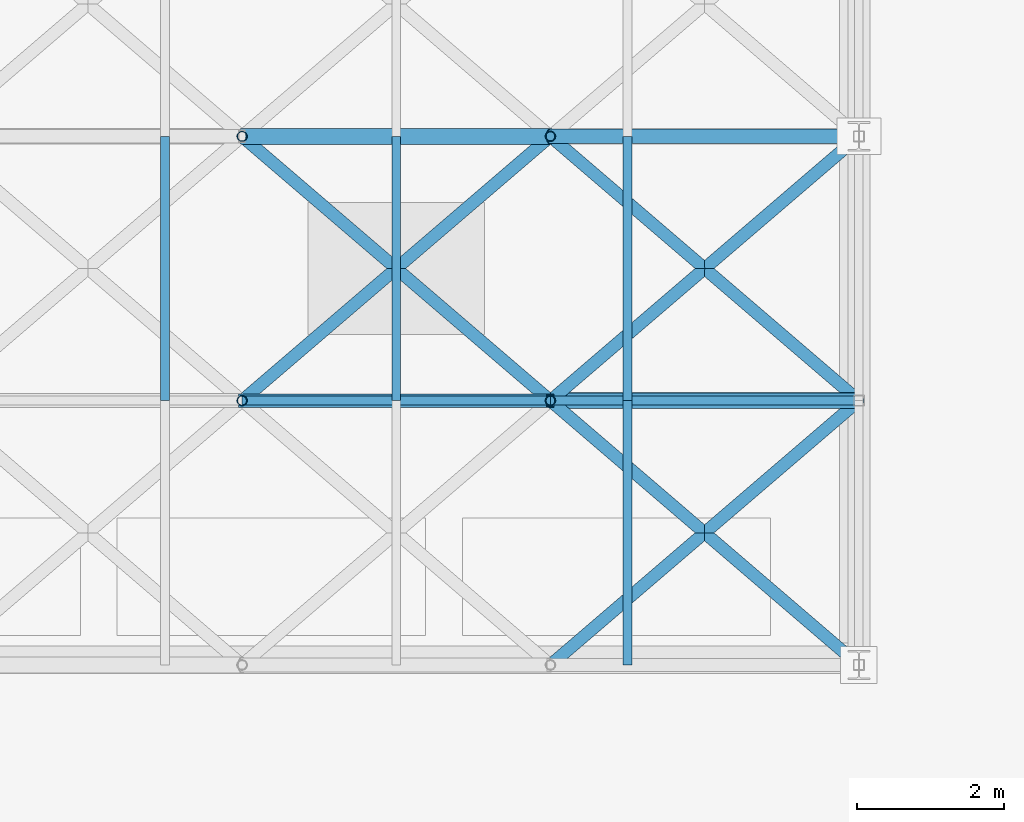
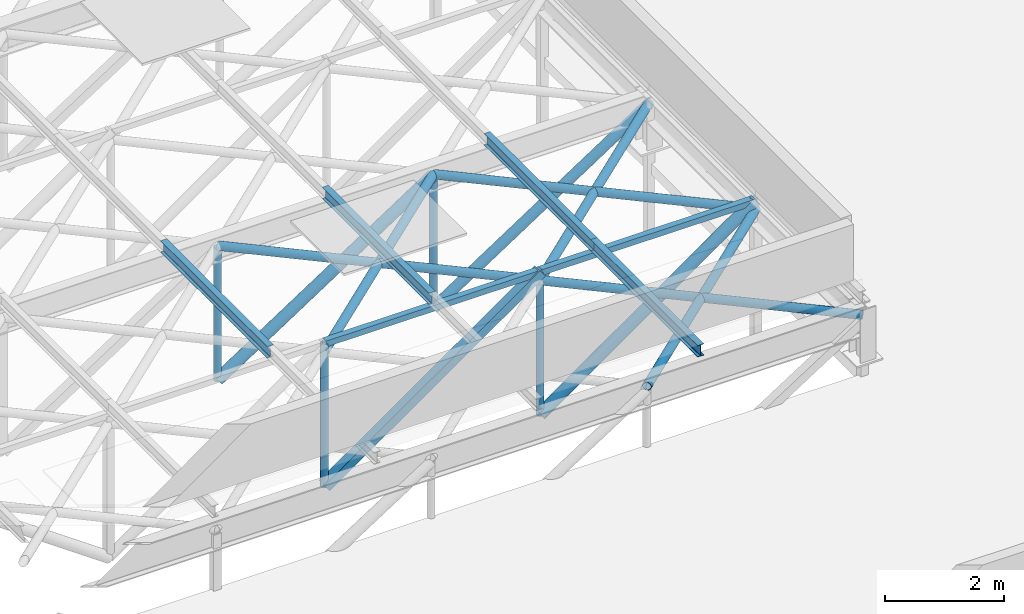
# One storey, part 8 of 45: 20 members.
"""IFC4 building model written with IfcOpenShell, lengths in metres."""

from ifc_helpers import new_model, si_unit, derived_unit, direction, frame, origin, origin_2d, place, context, subcontext, project, spatial, hollow_rectangle, hollow_circle, i_section, extrude, material, material_profile, profile_set, type_object, element, save


model = new_model("IFC4")

# Units and contexts
model_context = context("Model", 3, precision=1e-05, world=origin(), true_north=direction((0.0, 1.0)))
body_context = subcontext(model_context, "Body", "Model", "MODEL_VIEW")
ifc_project = project(units=[si_unit("LENGTHUNIT", "METRE"), si_unit("AREAUNIT", "SQUARE_METRE"), si_unit("VOLUMEUNIT", "CUBIC_METRE"), si_unit("PLANEANGLEUNIT", "RADIAN"), si_unit("MASSUNIT", "GRAM", prefix="KILO"), derived_unit("THERMALTRANSMITTANCEUNIT", [(si_unit("MASSUNIT", "GRAM", prefix="KILO"), 1), (si_unit("TIMEUNIT", "SECOND"), -3), (si_unit("THERMODYNAMICTEMPERATUREUNIT", "KELVIN"), -1)])], contexts=[model_context])

# Site, building, storey
site_placement = place(None, origin())
site = spatial("IfcSite", under=ifc_project, at=site_placement, CompositionType="ELEMENT")
building_placement = place(site_placement, origin())
building = spatial("IfcBuilding", under=site, at=building_placement, Name="Veldstrom Oceanarium and Marine Research Institute", CompositionType="ELEMENT")
storey_placement = place(building_placement, frame((0.0, 0.0, 22.199951171875)))
storey = spatial("IfcBuildingStorey", under=building, at=storey_placement, Name="L04", CompositionType="ELEMENT", Elevation=22.199951171875)

# Members
ifc_material_1 = material(Name="Steel S355JR", Category="steel")
ifc_material_profile_1 = material_profile(ifc_material_1, hollow_circle(Radius=0.109619140625, WallThickness=0.012451171875, at=origin_2d()), Name="CHS 219.1x12.5")
ifc_profile_set_1 = profile_set([ifc_material_profile_1], Name="Steel S355JR")
member_type_1 = type_object("IfcMemberType", Name="STR-MEM-BR1", PredefinedType="BRACE", material=ifc_profile_set_1)
member_1_placement = place(storey_placement, frame((37.800048828125, 18.0, -1.89990234375), z_axis=(0.818316866904, 0.0, 0.574767348881), x_axis=(0.0, 1.0, 0.0)))
element("IfcMember", 1, at=member_1_placement, inside=storey, type_object=member_type_1, Name="Truss Web Diagonal RT02-6", PredefinedType="BRACE", context=body_context, shape_type="SweptSolid", body=[
    extrude(hollow_circle(Radius=0.109619140625, WallThickness=0.012451171875, at=origin_2d()), origin(), (0.0, 0.0, 1.0), 5.13232421875),
])
member_2_placement = place(storey_placement, frame((33.60009765625, 21.60009765625, -1.89990234375), z_axis=(0.837217300889, 0.0, 0.546870360407), x_axis=(0.0, 1.0, 0.0)))
element("IfcMember", 2, at=member_2_placement, inside=storey, type_object=member_type_1, Name="Truss Web Diagonal RT03-5", PredefinedType="BRACE", context=body_context, shape_type="SweptSolid", body=[
    extrude(hollow_circle(Radius=0.109619140625, WallThickness=0.012451171875, at=origin_2d()), origin(), (0.0, 0.0, 1.0), 5.0166015625),
])
ifc_material_2 = material(Name="Steel S355JR", Category="steel")
ifc_material_profile_2 = material_profile(ifc_material_2, hollow_circle(Radius=0.096923828125, WallThickness=0.010009765625, at=origin_2d()), Name="CHS 193.7x10")
ifc_profile_set_2 = profile_set([ifc_material_profile_2], Name="Steel S355JR")
member_type_2 = type_object("IfcMemberType", Name="STR-MEM-BR2", PredefinedType="BRACE", material=ifc_profile_set_2)
member_3_placement = place(storey_placement, frame((37.800048828125, 21.60009765625, -1.89990234375), z_axis=(0.837217300889, 0.0, 0.546870360407), x_axis=(0.0, 1.0, 0.0)))
element("IfcMember", 3, at=member_3_placement, inside=storey, type_object=member_type_2, Name="Truss Web Diagonal RT03-6", PredefinedType="BRACE", context=body_context, shape_type="SweptSolid", body=[
    extrude(hollow_circle(Radius=0.096923828125, WallThickness=0.010009765625, at=origin_2d()), origin(), (0.0, 0.0, 1.0), 5.0166015625),
])
ifc_material_3 = material(Name="Steel S355JR", Category="steel")
ifc_material_profile_3 = material_profile(ifc_material_3, hollow_circle(Radius=0.084228515625, WallThickness=0.008056640625, at=origin_2d()), Name="CHS 168.3x8")
ifc_profile_set_3 = profile_set([ifc_material_profile_3], Name="Steel S355JR")
member_type_3 = type_object("IfcMemberType", Name="STR-MEM-BR3", PredefinedType="BRACE", material=ifc_profile_set_3)
for number, where, z_axis, x_axis, name in (
    (4, (37.800048828125, 14.39990234375, 0.860107421875), (0.759244140748, 0.650805911728, 0.0), (-0.650805911728, 0.759244140748, 0.0), "Roof Plan Wind Brace WB-01-6"),
    (5, (42.0, 14.39990234375, 0.860107421875), (-0.759244140748, 0.650805911728, 0.0), (-0.650805911728, -0.759244140748, 0.0), "Roof Plan Counter Wind Brace WB-01-6B"),
    (6, (33.60009765625, 18.0, 0.860107421875), (0.759244140748, 0.650805911728, 0.0), (-0.650805911728, 0.759244140748, 0.0), "Roof Plan Wind Brace WB-02-5"),
    (7, (37.800048828125, 18.0, 0.860107421875), (-0.759244140748, 0.650805911728, 0.0), (-0.650805911728, -0.759244140748, 0.0), "Roof Plan Counter Wind Brace WB-02-5B"),
    (8, (37.800048828125, 18.0, 0.860107421875), (0.759244140748, 0.650805911728, 0.0), (-0.650805911728, 0.759244140748, 0.0), "Roof Plan Wind Brace WB-02-6"),
    (9, (42.0, 18.0, 0.860107421875), (-0.759244140748, 0.650805911728, 0.0), (-0.650805911728, -0.759244140748, 0.0), "Roof Plan Counter Wind Brace WB-02-6B"),
):
    element("IfcMember", number, at=place(storey_placement, frame(where, z_axis=z_axis, x_axis=x_axis)), inside=storey, type_object=member_type_3, Name=name, PredefinedType="BRACE", context=body_context, shape_type="SweptSolid", body=[
        extrude(hollow_circle(Radius=0.084228515625, WallThickness=0.008056640625, at=origin_2d()), origin(), (0.0, 0.0, 1.0), 5.53173828125),
    ])
ifc_material_4 = material(Name="Steel S355JR", Category="steel")
ifc_material_profile_4 = material_profile(ifc_material_4, hollow_rectangle(XDim=0.179931640625, YDim=0.179931640625, WallThickness=0.010009765625, at=origin_2d()), Name="SHS 180x180x10")
ifc_profile_set_4 = profile_set([ifc_material_profile_4], Name="Steel S355JR")
member_type_4 = type_object("IfcMemberType", Name="STR-MEM-BR4", PredefinedType="BRACE", material=ifc_profile_set_4)
member_4_placement = place(storey_placement, frame((33.60009765625, 18.0, -1.89990234375), z_axis=(0.818316866904, 0.0, 0.574767348881), x_axis=(0.0, 1.0, 0.0)))
element("IfcMember", 10, at=member_4_placement, inside=storey, type_object=member_type_4, Name="Truss Web Diagonal RT02-5", PredefinedType="BRACE", context=body_context, shape_type="SweptSolid", body=[
    extrude(hollow_rectangle(XDim=0.179931640625, YDim=0.179931640625, WallThickness=0.010009765625, at=origin_2d()), origin(), (0.0, 0.0, 1.0), 5.13232421875),
])
ifc_material_5 = material(Name="Steel S355JR", Category="steel")
ifc_material_profile_5 = material_profile(ifc_material_5, i_section(OverallWidth=0.1201171875, OverallDepth=0.239990234375, WebThickness=0.006103515625, FlangeThickness=0.009765625, FilletRadius=0.014892578125, at=origin_2d()), Name="IPE 240")
ifc_profile_set_5 = profile_set([ifc_material_profile_5], Name="Steel S355JR")
member_type_5 = type_object("IfcMemberType", Name="STR-MEM-PR1", PredefinedType="PURLIN", material=ifc_profile_set_5)
for number, where, z_axis, x_axis, name in (
    (11, (38.85009765625, 14.39990234375, 1.22998046875), (0.0, 1.0, 0.0), (-1.0, 0.0, 0.0), "Hall Roof Purlin PR-02-8"),
    (12, (32.550048828125, 18.0, 1.22998046875), (0.0, 1.0, 0.0), (-1.0, 0.0, 0.0), "Hall Roof Purlin PR-03-6"),
    (13, (35.699951171875, 18.0, 1.22998046875), (0.0, 1.0, 0.0), (-1.0, 0.0, 0.0), "Hall Roof Purlin PR-03-7"),
    (14, (38.85009765625, 18.0, 1.22998046875), (0.0, 1.0, 0.0), (-1.0, 0.0, 0.0), "Hall Roof Purlin PR-03-8"),
):
    element("IfcMember", number, at=place(storey_placement, frame(where, z_axis=z_axis, x_axis=x_axis)), inside=storey, type_object=member_type_5, Name=name, PredefinedType="PURLIN", context=body_context, shape_type="SweptSolid", body=[
        extrude(i_section(OverallWidth=0.1201171875, OverallDepth=0.239990234375, WebThickness=0.006103515625, FlangeThickness=0.009765625, FilletRadius=0.014892578125, at=origin_2d()), origin(), (0.0, 0.0, 1.0), 3.60009765625),
    ])
ifc_material_6 = material(Name="Steel S355JR", Category="steel")
ifc_material_profile_6 = material_profile(ifc_material_6, hollow_circle(Radius=0.06982421875, WallThickness=0.008056640625, at=origin_2d()), Name="CHS 139.7x8")
ifc_profile_set_6 = profile_set([ifc_material_profile_6], Name="Steel S355JR")
member_type_6 = type_object("IfcMemberType", Name="STR-MEM-PS2", PredefinedType="POST", material=ifc_profile_set_6)
for number, where, z_axis, x_axis, name in (
    (15, (33.60009765625, 18.0, -1.89990234375), (0.0, 0.0, 1.0), (1.0, 0.0, 0.0), "Truss Vertical Post RT02-5"),
    (16, (37.800048828125, 18.0, -1.89990234375), (0.0, 0.0, 1.0), (1.0, 0.0, 0.0), "Truss Vertical Post RT02-6"),
):
    element("IfcMember", number, at=place(storey_placement, frame(where, z_axis=z_axis, x_axis=x_axis)), inside=storey, type_object=member_type_6, Name=name, PredefinedType="POST", context=body_context, shape_type="SweptSolid", body=[
        extrude(hollow_circle(Radius=0.06982421875, WallThickness=0.008056640625, at=origin_2d()), origin(), (0.0, 0.0, 1.0), 2.949951171875),
    ])
for number, where, z_axis, x_axis, name in (
    (17, (33.60009765625, 21.60009765625, -1.89990234375), (0.0, 0.0, 1.0), (1.0, 0.0, 0.0), "Truss Vertical Post RT03-5"),
    (18, (37.800048828125, 21.60009765625, -1.89990234375), (0.0, 0.0, 1.0), (1.0, 0.0, 0.0), "Truss Vertical Post RT03-6"),
):
    element("IfcMember", number, at=place(storey_placement, frame(where, z_axis=z_axis, x_axis=x_axis)), inside=storey, type_object=member_type_6, Name=name, PredefinedType="POST", context=body_context, shape_type="SweptSolid", body=[
        extrude(hollow_circle(Radius=0.06982421875, WallThickness=0.008056640625, at=origin_2d()), origin(), (0.0, 0.0, 1.0), 2.743408203125),
    ])
ifc_material_7 = material(Name="Steel S355JR", Category="steel")
ifc_material_profile_7 = material_profile(ifc_material_7, hollow_rectangle(XDim=0.1201171875, YDim=0.1201171875, WallThickness=0.008056640625, at=origin_2d()), Name="SHS 120x120x8")
ifc_profile_set_7 = profile_set([ifc_material_profile_7], Name="Steel S355JR")
member_type_7 = type_object("IfcMemberType", Name="STR-MEM-RF1", PredefinedType="RAFTER", material=ifc_profile_set_7)
for number, where, z_axis, x_axis, name in (
    (19, (33.60009765625, 18.0, 1.050048828125), (1.0, 0.0, 0.0), (0.0, 1.0, 0.0), "Truss Top Rafter RT02-5"),
    (20, (37.800048828125, 18.0, 1.050048828125), (1.0, 0.0, 0.0), (0.0, 1.0, 0.0), "Truss Top Rafter RT02-6"),
):
    element("IfcMember", number, at=place(storey_placement, frame(where, z_axis=z_axis, x_axis=x_axis)), inside=storey, type_object=member_type_7, Name=name, PredefinedType="RAFTER", context=body_context, shape_type="SweptSolid", body=[
        extrude(hollow_rectangle(XDim=0.1201171875, YDim=0.1201171875, WallThickness=0.008056640625, at=origin_2d()), origin(), (0.0, 0.0, 1.0), 4.199951171875),
    ])

save(model, "model.ifc")
